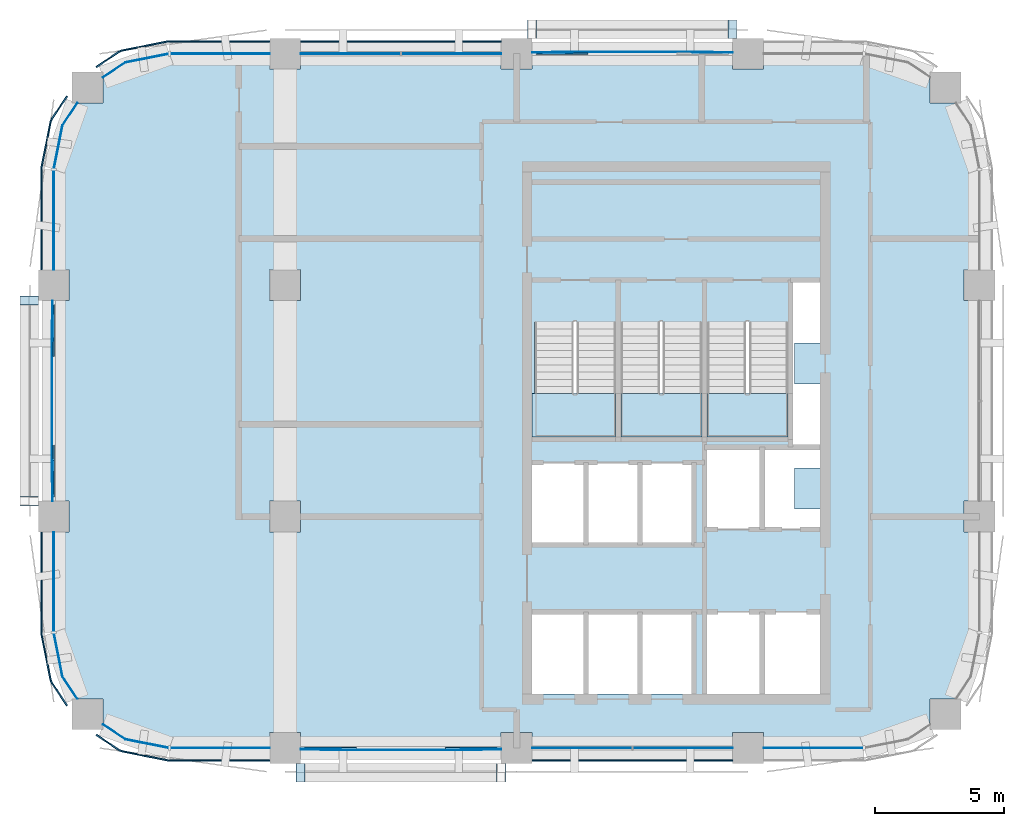
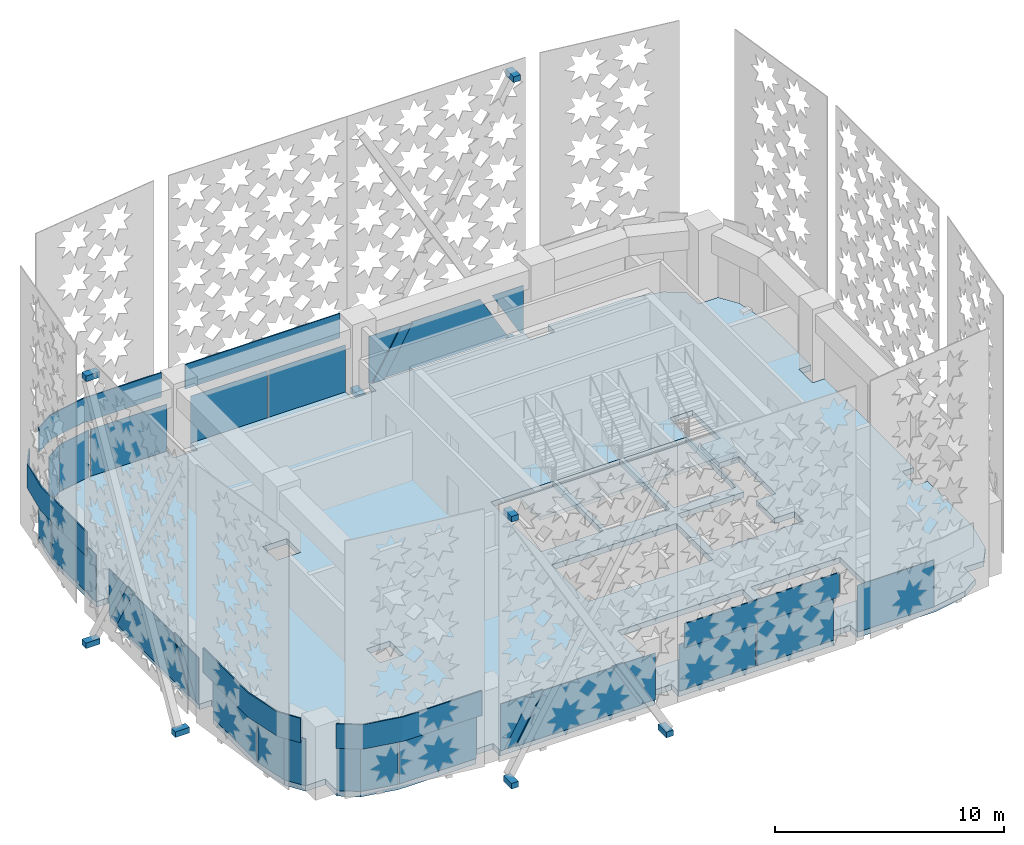
# One storey, part 6 of 17: 33 plates, 9 members, 4 slabs, 13 elements without a shape of their own.
"""IFC4 building model written with IfcOpenShell, lengths in metres."""

from ifc_helpers import new_model, si_unit, direction, frame, origin, origin_2d, place, context, subcontext, project, spatial, polyline, rectangle, outline, extrude, material, layer, layer_set, type_object, element, aggregate, save


model = new_model("IFC4")

# Units and contexts
model_context = context("Model", 3, precision=1e-05, world=origin(), true_north=direction((0.0, 1.0)))
body_context = subcontext(model_context, "Body", "Model", "MODEL_VIEW")
ifc_project = project(units=[si_unit("LENGTHUNIT", "METRE"), si_unit("AREAUNIT", "SQUARE_METRE"), si_unit("VOLUMEUNIT", "CUBIC_METRE"), si_unit("PLANEANGLEUNIT", "RADIAN"), si_unit("MASSUNIT", "GRAM", prefix="KILO")], contexts=[model_context])

# Site, building, storey
site_placement = place(None, origin())
site = spatial("IfcSite", under=ifc_project, at=site_placement, CompositionType="ELEMENT")
building_placement = place(site_placement, origin())
building = spatial("IfcBuilding", under=site, at=building_placement, Name="Tessera Arch", CompositionType="ELEMENT")
storey_placement = place(building_placement, frame((0.0, 0.0, 281.300048828125)))
storey = spatial("IfcBuildingStorey", under=building, at=storey_placement, Name="L68", CompositionType="ELEMENT", Elevation=281.300048828125)

# Members
ifc_material_1 = material(Name="Steel A572 Gr50", Category="steel")
ifc_layer_1 = layer(ifc_material_1, 0.050048828125)
ifc_layer_set_1 = layer_set([ifc_layer_1], Name="Node block Steel A572 Gr50")
member_type = type_object("IfcMemberType", Name="Node block Steel A572 Gr50", PredefinedType="PLATE", material=ifc_layer_set_1)
for number, where, z_axis, x_axis, name in (
    (1, (36.60009765625, 54.95556640625, -1.2099609375), (0.0, 0.0, 1.0), (-1.0, 0.0, 0.0), "Node block seat N54.18-1 1 L68"),
    (2, (44.39990234375, 54.95556640625, -1.2099609375), (0.0, 0.0, 1.0), (-1.0, 0.0, 0.0), "Node block seat N54.18-1 2 L68"),
    (3, (44.39990234375, 54.95556640625, 13.009765625), (0.0, 0.0, 1.0), (-1.0, 0.0, 0.0), "Node block head N54.18-1 B L68"),
    (4, (17.04443359375, 36.60009765625, -1.2099609375), (0.0, 0.0, 1.0), (0.0, -1.0, 0.0), "Node block seat W18.27-1 1 L68"),
    (5, (17.04443359375, 44.39990234375, -1.2099609375), (0.0, 0.0, 1.0), (0.0, -1.0, 0.0), "Node block seat W18.27-1 2 L68"),
    (6, (17.04443359375, 44.39990234375, 13.009765625), (0.0, 0.0, 1.0), (0.0, -1.0, 0.0), "Node block head W18.27-1 B L68"),
    (7, (35.39990234375, 26.04443359375, -1.2099609375), (0.0, 0.0, 1.0), (1.0, 0.0, 0.0), "Node block seat S27.18-1 1 L68"),
    (8, (27.60009765625, 26.04443359375, -1.2099609375), (0.0, 0.0, 1.0), (1.0, 0.0, 0.0), "Node block seat S27.18-1 2 L68"),
    (9, (27.60009765625, 26.04443359375, 13.009765625), (0.0, 0.0, 1.0), (1.0, 0.0, 0.0), "Node block head S27.18-1 B L68"),
):
    element("IfcMember", number, at=place(storey_placement, frame(where, z_axis=z_axis, x_axis=x_axis)), inside=storey, type_object=member_type, Name=name, PredefinedType="PLATE", context=body_context, shape_type="SweptSolid", body=[
        extrude(rectangle(XDim=0.355712890625, YDim=0.711181640625, at=origin_2d()), origin(), (0.0, 0.0, 1.0), 0.300048828125),
    ])

# Curtain wall, plates
ifc_material_2 = material(Name="CW1 curtain wall")
curtain_wall_type_1 = type_object("IfcCurtainWallType", Name="CW1 curtain wall", PredefinedType="NOTDEFINED", material=ifc_material_2)
curtain_wall_1_placement = place(storey_placement, origin())
curtain_wall_1 = element("IfcCurtainWall", 10, at=curtain_wall_1_placement, inside=storey, type_object=curtain_wall_type_1, Name="CW1 curtain wall N54.18/2 L68", PredefinedType="NOTDEFINED")
ifc_material_3 = material(Name="Clear low-e glass", Category="glass")
ifc_material_4 = material(Name="Clear low-e glass", Category="glass")
ifc_layer_2 = layer(ifc_material_4, 0.028076171875)
ifc_layer_set_2 = layer_set([ifc_layer_2], Name="CW1 glass panel")
plate_type_1 = type_object("IfcPlateType", Name="CW1 glass panel", PredefinedType="CURTAIN_PANEL", material=ifc_layer_set_2)
plate_1_placement = place(storey_placement, frame((33.465087890625, 54.0, 0.0), z_axis=(0.0, 0.0, 1.0), x_axis=(-1.0, 0.0, 0.0)))
plate_1 = element("IfcPlate", 11, at=plate_1_placement, type_object=plate_type_1, material=ifc_material_3, Name="CW1 glass panel N54.18/2 1.1.1", PredefinedType="CURTAIN_PANEL", context=body_context, shape_type="SweptSolid", body=[
    extrude(rectangle(XDim=3.8701171875, YDim=0.028076171875, at=origin_2d()), origin(), (0.0, 0.0, 1.0), 2.5),
])
plate_2_placement = place(storey_placement, frame((29.534912109375, 54.0, 0.0), z_axis=(0.0, 0.0, 1.0), x_axis=(-1.0, 0.0, 0.0)))
plate_2 = element("IfcPlate", 12, at=plate_2_placement, type_object=plate_type_1, material=ifc_material_3, Name="CW1 glass panel N54.18/2 1.2.1", PredefinedType="CURTAIN_PANEL", context=body_context, shape_type="SweptSolid", body=[
    extrude(rectangle(XDim=3.8701171875, YDim=0.028076171875, at=origin_2d()), origin(), (0.0, 0.0, 1.0), 2.5),
])

curtain_wall_2_placement = place(storey_placement, origin())
curtain_wall_2 = element("IfcCurtainWall", 13, at=curtain_wall_2_placement, inside=storey, type_object=curtain_wall_type_1, Name="CW1 curtain wall S27.18/2 L68", PredefinedType="NOTDEFINED")
plate_3_placement = place(storey_placement, frame((38.534912109375, 27.0, 0.0), z_axis=(0.0, 0.0, 1.0), x_axis=(1.0, 0.0, 0.0)))
plate_3 = element("IfcPlate", 14, at=plate_3_placement, type_object=plate_type_1, material=ifc_material_3, Name="CW1 glass panel S27.18/2 1.1.1", PredefinedType="CURTAIN_PANEL", context=body_context, shape_type="SweptSolid", body=[
    extrude(rectangle(XDim=3.8701171875, YDim=0.028076171875, at=origin_2d()), origin(), (0.0, 0.0, 1.0), 2.5),
])
plate_4_placement = place(storey_placement, frame((42.465087890625, 27.0, 0.0), z_axis=(0.0, 0.0, 1.0), x_axis=(1.0, 0.0, 0.0)))
plate_4 = element("IfcPlate", 15, at=plate_4_placement, type_object=plate_type_1, material=ifc_material_3, Name="CW1 glass panel S27.18/2 1.2.1", PredefinedType="CURTAIN_PANEL", context=body_context, shape_type="SweptSolid", body=[
    extrude(rectangle(XDim=3.8701171875, YDim=0.028076171875, at=origin_2d()), origin(), (0.0, 0.0, 1.0), 2.5),
])

# Plate
ifc_material_5 = material(Name="Pale anodised aluminium panel", Category="aluminium")
ifc_layer_3 = layer(ifc_material_5, 0.06005859375)
ifc_layer_set_3 = layer_set([ifc_layer_3], Name="CW1 spandrel panel")
plate_type_2 = type_object("IfcPlateType", Name="CW1 spandrel panel", PredefinedType="CURTAIN_PANEL", material=ifc_layer_set_3)
plate_5_placement = place(storey_placement, frame((31.5, 54.47998046875, 2.60009765625), z_axis=(0.0, 0.0, 1.0), x_axis=(-1.0, 0.0, 0.0)))
plate_5 = element("IfcPlate", 16, at=plate_5_placement, type_object=plate_type_2, Name="CW1 spandrel panel N54.18/2", PredefinedType="CURTAIN_PANEL", context=body_context, shape_type="SweptSolid", body=[
    extrude(rectangle(XDim=7.800048828125, YDim=0.06005859375, at=origin_2d()), origin(), (0.0, 0.0, 1.0), 1.300048828125),
])

aggregate(curtain_wall_1, [plate_1, plate_2, plate_5])

plate_6_placement = place(storey_placement, frame((40.5, 26.52001953125, 2.60009765625), z_axis=(0.0, 0.0, 1.0), x_axis=(1.0, 0.0, 0.0)))
plate_6 = element("IfcPlate", 17, at=plate_6_placement, type_object=plate_type_2, Name="CW1 spandrel panel S27.18/2", PredefinedType="CURTAIN_PANEL", context=body_context, shape_type="SweptSolid", body=[
    extrude(rectangle(XDim=7.800048828125, YDim=0.06005859375, at=origin_2d()), origin(), (0.0, 0.0, 1.0), 1.300048828125),
])

aggregate(curtain_wall_2, [plate_3, plate_4, plate_6])

# Curtain wall, plates
ifc_material_6 = material(Name="CW2 curtain wall")
curtain_wall_type_2 = type_object("IfcCurtainWallType", Name="CW2 curtain wall", PredefinedType="NOTDEFINED", material=ifc_material_6)
curtain_wall_3_placement = place(storey_placement, origin())
curtain_wall_3 = element("IfcCurtainWall", 18, at=curtain_wall_3_placement, inside=storey, type_object=curtain_wall_type_2, Name="CW2 curtain wall N54.18/3 L68", PredefinedType="NOTDEFINED")
ifc_material_7 = material(Name="Clear low-e glass", Category="glass")
ifc_layer_4 = layer(ifc_material_7, 0.028076171875)
ifc_layer_set_4 = layer_set([ifc_layer_4], Name="CW2 glass panel")
plate_type_3 = type_object("IfcPlateType", Name="CW2 glass panel", PredefinedType="CURTAIN_PANEL", material=ifc_layer_set_4)
plate_7_placement = place(storey_placement, frame((24.469970703125, 54.0, 0.0), z_axis=(0.0, 0.0, 1.0), x_axis=(-1.0, 0.0, 0.0)))
plate_7 = element("IfcPlate", 19, at=plate_7_placement, type_object=plate_type_3, material=ifc_material_3, Name="CW2 glass panel N54.18/3 1.1", PredefinedType="CURTAIN_PANEL", context=body_context, shape_type="SweptSolid", body=[
    extrude(rectangle(XDim=3.860107421875, YDim=0.028076171875, at=origin_2d()), origin(), (0.0, 0.0, 1.0), 2.5),
])
plate_8_placement = place(storey_placement, origin())
plate_8 = element("IfcPlate", 20, at=plate_8_placement, type_object=plate_type_3, material=ifc_material_3, Name="CW2 curved glass panel N54.18/3 2.1", PredefinedType="CURTAIN_PANEL", context=body_context, shape_type="SweptSolid", body=[
    extrude(outline(polyline([(20.783447265625, 53.644287109375), (22.46337890625, 53.978515625), (22.4580078125, 54.005859375), (20.7724609375, 53.670654296875), (19.91015625, 53.094482421875), (19.92578125, 53.0712890625), (20.783447265625, 53.644287109375)])), origin(), (0.0, 0.0, 1.0), 2.5),
])

curtain_wall_4_placement = place(storey_placement, origin())
curtain_wall_4 = element("IfcCurtainWall", 21, at=curtain_wall_4_placement, inside=storey, type_object=curtain_wall_type_2, Name="CW2 curtain wall W18.27/0 L68", PredefinedType="NOTDEFINED")
plate_9_placement = place(storey_placement, frame((18.0, 47.530029296875, 0.0), z_axis=(0.0, 0.0, 1.0), x_axis=(0.0, -1.0, 0.0)))
plate_9 = element("IfcPlate", 22, at=plate_9_placement, type_object=plate_type_3, material=ifc_material_3, Name="CW2 glass panel W18.27/0 1.1", PredefinedType="CURTAIN_PANEL", context=body_context, shape_type="SweptSolid", body=[
    extrude(rectangle(XDim=3.860107421875, YDim=0.028076171875, at=origin_2d()), origin(), (0.0, 0.0, 1.0), 2.5),
])
plate_10_placement = place(storey_placement, origin())
plate_10 = element("IfcPlate", 23, at=plate_10_placement, type_object=plate_type_3, material=ifc_material_3, Name="CW2 curved glass panel W18.27/0 2.1", PredefinedType="CURTAIN_PANEL", context=body_context, shape_type="SweptSolid", body=[
    extrude(outline(polyline([(18.355712890625, 51.216552734375), (18.9287109375, 52.07421875), (18.905517578125, 52.08984375), (18.329345703125, 51.2275390625), (17.994140625, 49.5419921875), (18.021484375, 49.53662109375), (18.355712890625, 51.216552734375)])), origin(), (0.0, 0.0, 1.0), 2.5),
])

curtain_wall_5_placement = place(storey_placement, origin())
curtain_wall_5 = element("IfcCurtainWall", 24, at=curtain_wall_5_placement, inside=storey, type_object=curtain_wall_type_2, Name="CW2 curtain wall W18.27/2 L68", PredefinedType="NOTDEFINED")
plate_11_placement = place(storey_placement, frame((18.0, 33.469970703125, 0.0), z_axis=(0.0, 0.0, 1.0), x_axis=(0.0, -1.0, 0.0)))
plate_11 = element("IfcPlate", 25, at=plate_11_placement, type_object=plate_type_3, material=ifc_material_3, Name="CW2 glass panel W18.27/2 1.1", PredefinedType="CURTAIN_PANEL", context=body_context, shape_type="SweptSolid", body=[
    extrude(rectangle(XDim=3.860107421875, YDim=0.028076171875, at=origin_2d()), origin(), (0.0, 0.0, 1.0), 2.5),
])
plate_12_placement = place(storey_placement, origin())
plate_12 = element("IfcPlate", 26, at=plate_12_placement, type_object=plate_type_3, material=ifc_material_3, Name="CW2 curved glass panel W18.27/2 2.1", PredefinedType="CURTAIN_PANEL", context=body_context, shape_type="SweptSolid", body=[
    extrude(outline(polyline([(18.355712890625, 29.783447265625), (18.021484375, 31.46337890625), (17.994140625, 31.4580078125), (18.329345703125, 29.7724609375), (18.905517578125, 28.91015625), (18.9287109375, 28.92578125), (18.355712890625, 29.783447265625)])), origin(), (0.0, 0.0, 1.0), 2.5),
])

curtain_wall_6_placement = place(storey_placement, origin())
curtain_wall_6 = element("IfcCurtainWall", 27, at=curtain_wall_6_placement, inside=storey, type_object=curtain_wall_type_2, Name="CW2 curtain wall S27.18/0 L68", PredefinedType="NOTDEFINED")
plate_13_placement = place(storey_placement, frame((24.469970703125, 27.0, 0.0), z_axis=(0.0, 0.0, 1.0), x_axis=(1.0, 0.0, 0.0)))
plate_13 = element("IfcPlate", 28, at=plate_13_placement, type_object=plate_type_3, material=ifc_material_3, Name="CW2 glass panel S27.18/0 1.1", PredefinedType="CURTAIN_PANEL", context=body_context, shape_type="SweptSolid", body=[
    extrude(rectangle(XDim=3.860107421875, YDim=0.028076171875, at=origin_2d()), origin(), (0.0, 0.0, 1.0), 2.5),
])
plate_14_placement = place(storey_placement, origin())
plate_14 = element("IfcPlate", 29, at=plate_14_placement, type_object=plate_type_3, material=ifc_material_3, Name="CW2 curved glass panel S27.18/0 2.1", PredefinedType="CURTAIN_PANEL", context=body_context, shape_type="SweptSolid", body=[
    extrude(outline(polyline([(20.783447265625, 27.355712890625), (19.92578125, 27.9287109375), (19.91015625, 27.905517578125), (20.7724609375, 27.329345703125), (22.4580078125, 26.994140625), (22.46337890625, 27.021484375), (20.783447265625, 27.355712890625)])), origin(), (0.0, 0.0, 1.0), 2.5),
])

# Curtain wall, plate
curtain_wall_7_placement = place(storey_placement, origin())
curtain_wall_7 = element("IfcCurtainWall", 30, at=curtain_wall_7_placement, inside=storey, type_object=curtain_wall_type_2, Name="CW2 curtain wall S27.18/3 L68", PredefinedType="NOTDEFINED")
plate_15_placement = place(storey_placement, frame((47.530029296875, 27.0, 0.0), z_axis=(0.0, 0.0, 1.0), x_axis=(1.0, 0.0, 0.0)))
plate_15 = element("IfcPlate", 31, at=plate_15_placement, type_object=plate_type_3, material=ifc_material_3, Name="CW2 glass panel S27.18/3 1.1", PredefinedType="CURTAIN_PANEL", context=body_context, shape_type="SweptSolid", body=[
    extrude(rectangle(XDim=3.860107421875, YDim=0.028076171875, at=origin_2d()), origin(), (0.0, 0.0, 1.0), 2.5),
])
aggregate(curtain_wall_7, [plate_15])

# Plate
ifc_material_8 = material(Name="Pale anodised aluminium panel", Category="aluminium")
ifc_layer_5 = layer(ifc_material_8, 0.06005859375)
ifc_layer_set_5 = layer_set([ifc_layer_5], Name="CW2 spandrel panel")
plate_type_4 = type_object("IfcPlateType", Name="CW2 spandrel panel", PredefinedType="CURTAIN_PANEL", material=ifc_layer_set_5)
plate_16_placement = place(storey_placement, frame((0.0, 0.0, 2.599853515625)))
plate_16 = element("IfcPlate", 32, at=plate_16_placement, type_object=plate_type_4, Name="CW2 spandrel panel N54.18/3", PredefinedType="CURTAIN_PANEL", context=body_context, shape_type="SweptSolid", body=[
    extrude(outline(polyline([(22.500732421875, 54.449951171875), (26.39990234375, 54.449951171875), (26.39990234375, 54.510009765625), (22.499267578125, 54.510009765625), (22.449951171875, 54.507568359375), (22.401123046875, 54.500244140625), (20.677734375, 54.157470703125), (20.6298828125, 54.1455078125), (20.582763671875, 54.128662109375), (20.537353515625, 54.107421875), (20.4951171875, 54.08203125), (19.634765625, 53.5068359375), (19.66796875, 53.45703125), (20.52734375, 54.03125), (20.565673828125, 54.054443359375), (20.605712890625, 54.0732421875), (20.647216796875, 54.088134765625), (20.69091796875, 54.09912109375), (22.411376953125, 54.441162109375), (22.455810546875, 54.44775390625), (22.500732421875, 54.449951171875)])), origin(), (0.0, 0.0, 1.0), 1.300048828125),
])

aggregate(curtain_wall_3, [plate_7, plate_8, plate_16])

plate_17_placement = place(storey_placement, frame((0.0, 0.0, 2.599853515625)))
plate_17 = element("IfcPlate", 33, at=plate_17_placement, type_object=plate_type_4, Name="CW2 spandrel panel W18.27/0", PredefinedType="CURTAIN_PANEL", context=body_context, shape_type="SweptSolid", body=[
    extrude(outline(polyline([(17.96875, 51.47265625), (18.54296875, 52.33203125), (18.4931640625, 52.365234375), (17.91796875, 51.5048828125), (17.892578125, 51.462646484375), (17.871337890625, 51.417236328125), (17.8544921875, 51.3701171875), (17.842529296875, 51.322265625), (17.499755859375, 49.598876953125), (17.492431640625, 49.550048828125), (17.489990234375, 49.500732421875), (17.489990234375, 45.60009765625), (17.550048828125, 45.60009765625), (17.550048828125, 49.499267578125), (17.55224609375, 49.544189453125), (17.558837890625, 49.588623046875), (17.90087890625, 51.30908203125), (17.911865234375, 51.352783203125), (17.9267578125, 51.394287109375), (17.945556640625, 51.434326171875), (17.96875, 51.47265625)])), origin(), (0.0, 0.0, 1.0), 1.300048828125),
])

aggregate(curtain_wall_4, [plate_9, plate_10, plate_17])

plate_18_placement = place(storey_placement, frame((0.0, 0.0, 2.599853515625)))
plate_18 = element("IfcPlate", 34, at=plate_18_placement, type_object=plate_type_4, Name="CW2 spandrel panel W18.27/2", PredefinedType="CURTAIN_PANEL", context=body_context, shape_type="SweptSolid", body=[
    extrude(outline(polyline([(17.550048828125, 31.500732421875), (17.550048828125, 35.39990234375), (17.489990234375, 35.39990234375), (17.489990234375, 31.499267578125), (17.492431640625, 31.449951171875), (17.499755859375, 31.401123046875), (17.842529296875, 29.677734375), (17.8544921875, 29.6298828125), (17.871337890625, 29.582763671875), (17.892578125, 29.537353515625), (17.91796875, 29.4951171875), (18.4931640625, 28.634765625), (18.54296875, 28.66796875), (17.96875, 29.52734375), (17.945556640625, 29.565673828125), (17.9267578125, 29.605712890625), (17.911865234375, 29.647216796875), (17.90087890625, 29.69091796875), (17.558837890625, 31.411376953125), (17.55224609375, 31.455810546875), (17.550048828125, 31.500732421875)])), origin(), (0.0, 0.0, 1.0), 1.300048828125),
])

aggregate(curtain_wall_5, [plate_11, plate_12, plate_18])

plate_19_placement = place(storey_placement, frame((0.0, 0.0, 2.599853515625)))
plate_19 = element("IfcPlate", 35, at=plate_19_placement, type_object=plate_type_4, Name="CW2 spandrel panel S27.18/0", PredefinedType="CURTAIN_PANEL", context=body_context, shape_type="SweptSolid", body=[
    extrude(outline(polyline([(20.52734375, 26.96875), (19.66796875, 27.54296875), (19.634765625, 27.4931640625), (20.4951171875, 26.91796875), (20.537353515625, 26.892578125), (20.582763671875, 26.871337890625), (20.6298828125, 26.8544921875), (20.677734375, 26.842529296875), (22.401123046875, 26.499755859375), (22.449951171875, 26.492431640625), (22.499267578125, 26.489990234375), (26.39990234375, 26.489990234375), (26.39990234375, 26.550048828125), (22.500732421875, 26.550048828125), (22.455810546875, 26.55224609375), (22.411376953125, 26.558837890625), (20.69091796875, 26.90087890625), (20.647216796875, 26.911865234375), (20.605712890625, 26.9267578125), (20.565673828125, 26.945556640625), (20.52734375, 26.96875)])), origin(), (0.0, 0.0, 1.0), 1.300048828125),
])

aggregate(curtain_wall_6, [plate_13, plate_14, plate_19])

# Curtain wall, plate
ifc_material_9 = material(Name="CW3 curtain wall")
curtain_wall_type_3 = type_object("IfcCurtainWallType", Name="CW3 curtain wall", PredefinedType="NOTDEFINED", material=ifc_material_9)
curtain_wall_8_placement = place(storey_placement, origin())
curtain_wall_8 = element("IfcCurtainWall", 36, at=curtain_wall_8_placement, inside=storey, type_object=curtain_wall_type_3, Name="CW3 curtain wall N54.18/1 L68", PredefinedType="NOTDEFINED")
ifc_material_10 = material(Name="Pale anodised aluminium panel", Category="aluminium")
ifc_layer_6 = layer(ifc_material_10, 0.06005859375)
ifc_layer_set_6 = layer_set([ifc_layer_6], Name="CW3 diagonal panel")
plate_type_5 = type_object("IfcPlateType", Name="CW3 diagonal panel", PredefinedType="CURTAIN_PANEL", material=ifc_layer_set_6)
plate_20_placement = place(storey_placement, frame((38.188232421875, 54.030029296875, 2.5), z_axis=(0.0, 1.0, 0.0), x_axis=(1.0, 0.0, 0.0)))
plate_20 = element("IfcPlate", 37, at=plate_20_placement, type_object=plate_type_5, Name="CW3 diagonal panel N54.18/1 1", PredefinedType="CURTAIN_PANEL", context=body_context, shape_type="SweptSolid", body=[
    extrude(outline(polyline([(0.0, 0.0), (0.5810546875, 0.0), (-0.84228515625, 2.5), (-1.42333984375, 2.5), (0.0, 0.0)])), origin(), (0.0, 0.0, -1.0), 0.06005859375),
])

# Curtain wall, plates
curtain_wall_9_placement = place(storey_placement, origin())
curtain_wall_9 = element("IfcCurtainWall", 38, at=curtain_wall_9_placement, inside=storey, type_object=curtain_wall_type_3, Name="CW3 curtain wall W18.27/1 L68", PredefinedType="NOTDEFINED")
plate_21_placement = place(storey_placement, frame((17.969970703125, 38.188232421875, 2.5), z_axis=(-1.0, 0.0, 0.0), x_axis=(0.0, 1.0, 0.0)))
plate_21 = element("IfcPlate", 39, at=plate_21_placement, type_object=plate_type_5, Name="CW3 diagonal panel W18.27/1 1", PredefinedType="CURTAIN_PANEL", context=body_context, shape_type="SweptSolid", body=[
    extrude(outline(polyline([(0.0, 0.0), (0.5810546875, 0.0), (-0.84228515625, 2.5), (-1.42333984375, 2.5), (0.0, 0.0)])), origin(), (0.0, 0.0, -1.0), 0.06005859375),
])
plate_22_placement = place(storey_placement, frame((17.969970703125, 42.230712890625, 2.5), z_axis=(-1.0, 0.0, 0.0), x_axis=(0.0, 1.0, 0.0)))
plate_22 = element("IfcPlate", 40, at=plate_22_placement, type_object=plate_type_5, Name="CW3 diagonal panel W18.27/1 2", PredefinedType="CURTAIN_PANEL", context=body_context, shape_type="SweptSolid", body=[
    extrude(outline(polyline([(0.0, 0.0), (0.5810546875, 0.0), (2.00439453125, 2.5), (1.42333984375, 2.5), (0.0, 0.0)])), origin(), (0.0, 0.0, -1.0), 0.06005859375),
])

curtain_wall_10_placement = place(storey_placement, origin())
curtain_wall_10 = element("IfcCurtainWall", 41, at=curtain_wall_10_placement, inside=storey, type_object=curtain_wall_type_3, Name="CW3 curtain wall S27.18/1 L68", PredefinedType="NOTDEFINED")
plate_23_placement = place(storey_placement, frame((33.811767578125, 26.969970703125, 2.5), z_axis=(0.0, -1.0, 0.0), x_axis=(-1.0, 0.0, 0.0)))
plate_23 = element("IfcPlate", 42, at=plate_23_placement, type_object=plate_type_5, Name="CW3 diagonal panel S27.18/1 1", PredefinedType="CURTAIN_PANEL", context=body_context, shape_type="SweptSolid", body=[
    extrude(outline(polyline([(0.0, 0.0), (0.5810546875, 0.0), (-0.84228515625, 2.5), (-1.42333984375, 2.5), (0.0, 0.0)])), origin(), (0.0, 0.0, -1.0), 0.06005859375),
])
plate_24_placement = place(storey_placement, frame((29.769287109375, 26.969970703125, 2.5), z_axis=(0.0, -1.0, 0.0), x_axis=(-1.0, 0.0, 0.0)))
plate_24 = element("IfcPlate", 43, at=plate_24_placement, type_object=plate_type_5, Name="CW3 diagonal panel S27.18/1 2", PredefinedType="CURTAIN_PANEL", context=body_context, shape_type="SweptSolid", body=[
    extrude(outline(polyline([(0.0, 0.0), (0.5810546875, 0.0), (2.00439453125, 2.5), (1.42333984375, 2.5), (0.0, 0.0)])), origin(), (0.0, 0.0, -1.0), 0.06005859375),
])

# Plate
ifc_material_11 = material(Name="Clear low-e glass", Category="glass")
ifc_layer_7 = layer(ifc_material_11, 0.028076171875)
ifc_layer_set_7 = layer_set([ifc_layer_7], Name="CW3 glass panel")
plate_type_6 = type_object("IfcPlateType", Name="CW3 glass panel", PredefinedType="CURTAIN_PANEL", material=ifc_layer_set_7)
plate_25_placement = place(storey_placement, frame((44.39990234375, 54.05810546875, 0.0), z_axis=(0.0, 1.0, 0.0), x_axis=(-1.0, 0.0, 0.0)))
plate_25 = element("IfcPlate", 44, at=plate_25_placement, type_object=plate_type_6, material=ifc_material_3, Name="CW3 triangulated glass panel N54.18/1 1", PredefinedType="CURTAIN_PANEL", context=body_context, shape_type="SweptSolid", body=[
    extrude(outline(polyline([(0.0, 0.0), (0.164794921875, 0.0), (1.588134765625, 2.5), (0.0, 2.5), (0.0, 0.0)])), origin(), (0.0, 0.0, -1.0), 0.028076171875),
])

plate_26_placement = place(storey_placement, frame((38.769287109375, 54.0859375, 2.5), z_axis=(0.0, 1.0, 0.0), x_axis=(1.0, 0.0, 0.0)))
plate_26 = element("IfcPlate", 45, at=plate_26_placement, type_object=plate_type_6, material=ifc_material_3, Name="CW3 triangulated glass panel N54.18/1 2", PredefinedType="CURTAIN_PANEL", context=body_context, shape_type="SweptSolid", body=[
    extrude(outline(polyline([(0.0, 0.0), (3.46142578125, 0.0), (4.884765625, 2.5), (-1.42333984375, 2.5), (0.0, 0.0)])), origin(), (0.0, 0.0, -1.0), 0.028076171875),
])

plate_27_placement = place(storey_placement, frame((36.60009765625, 54.05810546875, 2.5), z_axis=(0.0, 1.0, 0.0), x_axis=(1.0, 0.0, 0.0)))
plate_27 = element("IfcPlate", 46, at=plate_27_placement, type_object=plate_type_6, material=ifc_material_3, Name="CW3 triangulated glass panel N54.18/1 3", PredefinedType="CURTAIN_PANEL", context=body_context, shape_type="SweptSolid", body=[
    extrude(outline(polyline([(0.0, 0.0), (1.588134765625, 0.0), (0.164794921875, 2.5), (0.0, 2.5), (0.0, 0.0)])), origin(), (0.0, 0.0, -1.0), 0.028076171875),
])

aggregate(curtain_wall_8, [plate_25, plate_26, plate_27, plate_20])

plate_28_placement = place(storey_placement, frame((17.94189453125, 44.39990234375, 0.0), z_axis=(-1.0, 0.0, 0.0), x_axis=(0.0, -1.0, 0.0)))
plate_28 = element("IfcPlate", 47, at=plate_28_placement, type_object=plate_type_6, material=ifc_material_3, Name="CW3 triangulated glass panel W18.27/1 1", PredefinedType="CURTAIN_PANEL", context=body_context, shape_type="SweptSolid", body=[
    extrude(outline(polyline([(0.0, 0.0), (0.164794921875, 0.0), (1.588134765625, 2.5), (0.0, 2.5), (0.0, 0.0)])), origin(), (0.0, 0.0, -1.0), 0.028076171875),
])

plate_29_placement = place(storey_placement, frame((17.9140625, 38.769287109375, 2.5), z_axis=(-1.0, 0.0, 0.0), x_axis=(0.0, 1.0, 0.0)))
plate_29 = element("IfcPlate", 48, at=plate_29_placement, type_object=plate_type_6, material=ifc_material_3, Name="CW3 triangulated glass panel W18.27/1 2", PredefinedType="CURTAIN_PANEL", context=body_context, shape_type="SweptSolid", body=[
    extrude(outline(polyline([(0.0, 0.0), (3.46142578125, 0.0), (4.884765625, 2.5), (-1.42333984375, 2.5), (0.0, 0.0)])), origin(), (0.0, 0.0, -1.0), 0.028076171875),
])

plate_30_placement = place(storey_placement, frame((17.94189453125, 36.60009765625, 2.5), z_axis=(-1.0, 0.0, 0.0), x_axis=(0.0, 1.0, 0.0)))
plate_30 = element("IfcPlate", 49, at=plate_30_placement, type_object=plate_type_6, material=ifc_material_3, Name="CW3 triangulated glass panel W18.27/1 3", PredefinedType="CURTAIN_PANEL", context=body_context, shape_type="SweptSolid", body=[
    extrude(outline(polyline([(0.0, 0.0), (1.588134765625, 0.0), (0.164794921875, 2.5), (0.0, 2.5), (0.0, 0.0)])), origin(), (0.0, 0.0, -1.0), 0.028076171875),
])

aggregate(curtain_wall_9, [plate_28, plate_29, plate_30, plate_21, plate_22])

plate_31_placement = place(storey_placement, frame((27.60009765625, 26.94189453125, 0.0), z_axis=(0.0, -1.0, 0.0), x_axis=(1.0, 0.0, 0.0)))
plate_31 = element("IfcPlate", 50, at=plate_31_placement, type_object=plate_type_6, material=ifc_material_3, Name="CW3 triangulated glass panel S27.18/1 1", PredefinedType="CURTAIN_PANEL", context=body_context, shape_type="SweptSolid", body=[
    extrude(outline(polyline([(0.0, 0.0), (0.164794921875, 0.0), (1.588134765625, 2.5), (0.0, 2.5), (0.0, 0.0)])), origin(), (0.0, 0.0, -1.0), 0.028076171875),
])

plate_32_placement = place(storey_placement, frame((33.230712890625, 26.9140625, 2.5), z_axis=(0.0, -1.0, 0.0), x_axis=(-1.0, 0.0, 0.0)))
plate_32 = element("IfcPlate", 51, at=plate_32_placement, type_object=plate_type_6, material=ifc_material_3, Name="CW3 triangulated glass panel S27.18/1 2", PredefinedType="CURTAIN_PANEL", context=body_context, shape_type="SweptSolid", body=[
    extrude(outline(polyline([(0.0, 0.0), (3.46142578125, 0.0), (4.884765625, 2.5), (-1.42333984375, 2.5), (0.0, 0.0)])), origin(), (0.0, 0.0, -1.0), 0.028076171875),
])

plate_33_placement = place(storey_placement, frame((35.39990234375, 26.94189453125, 2.5), z_axis=(0.0, -1.0, 0.0), x_axis=(-1.0, 0.0, 0.0)))
plate_33 = element("IfcPlate", 52, at=plate_33_placement, type_object=plate_type_6, material=ifc_material_3, Name="CW3 triangulated glass panel S27.18/1 3", PredefinedType="CURTAIN_PANEL", context=body_context, shape_type="SweptSolid", body=[
    extrude(outline(polyline([(0.0, 0.0), (1.588134765625, 0.0), (0.164794921875, 2.5), (0.0, 2.5), (0.0, 0.0)])), origin(), (0.0, 0.0, -1.0), 0.028076171875),
])

aggregate(curtain_wall_10, [plate_31, plate_32, plate_33, plate_23, plate_24])

# Slab
ifc_material_12 = material(Name="Concrete C40/50", Category="concrete")
ifc_layer_8 = layer(ifc_material_12, 0.300048828125)
ifc_layer_set_8 = layer_set([ifc_layer_8], Name="Floor slab 300 Concrete C40/50")
slab_type_1 = type_object("IfcSlabType", Name="Floor slab 300 Concrete C40/50", PredefinedType="FLOOR", material=ifc_layer_set_8)
slab_1_placement = place(storey_placement, frame((0.0, 0.0, -0.300048828125)))
element("IfcSlab", 53, at=slab_1_placement, inside=storey, type_object=slab_type_1, Name="Floor slab L68 1", PredefinedType="FLOOR", context=body_context, shape_type="SweptSolid", body=[
    extrude(outline(polyline([(54.0, 31.5), (53.657470703125, 29.77783203125), (53.0830078125, 28.91796875), (52.08203125, 28.91796875), (52.08203125, 27.9169921875), (51.22216796875, 27.342529296875), (49.5, 27.0), (45.60009765625, 27.0), (45.60009765625, 27.60009765625), (44.39990234375, 27.60009765625), (44.39990234375, 27.0), (36.60009765625, 27.0), (36.60009765625, 27.60009765625), (35.39990234375, 27.60009765625), (35.39990234375, 27.0), (27.60009765625, 27.0), (27.60009765625, 27.60009765625), (26.39990234375, 27.60009765625), (26.39990234375, 27.0), (22.5, 27.0), (20.77783203125, 27.342529296875), (19.91796875, 27.9169921875), (19.91796875, 28.91796875), (18.9169921875, 28.91796875), (18.342529296875, 29.77783203125), (18.0, 31.5), (18.0, 35.39990234375), (18.60009765625, 35.39990234375), (18.60009765625, 36.60009765625), (18.0, 36.60009765625), (18.0, 44.39990234375), (18.60009765625, 44.39990234375), (18.60009765625, 45.60009765625), (18.0, 45.60009765625), (18.0, 49.5), (18.342529296875, 51.22216796875), (18.9169921875, 52.08203125), (19.91796875, 52.08203125), (19.91796875, 53.0830078125), (20.77783203125, 53.657470703125), (22.5, 54.0), (26.39990234375, 54.0), (26.39990234375, 53.39990234375), (27.60009765625, 53.39990234375), (27.60009765625, 54.0), (35.39990234375, 54.0), (35.39990234375, 53.39990234375), (36.60009765625, 53.39990234375), (36.60009765625, 54.0), (44.39990234375, 54.0), (44.39990234375, 53.39990234375), (45.60009765625, 53.39990234375), (45.60009765625, 54.0), (49.5, 54.0), (51.22216796875, 53.657470703125), (52.08203125, 53.0830078125), (52.08203125, 52.08203125), (53.0830078125, 52.08203125), (53.657470703125, 51.22216796875), (54.0, 49.5), (54.0, 45.60009765625), (53.39990234375, 45.60009765625), (53.39990234375, 44.39990234375), (54.0, 44.39990234375), (54.0, 36.60009765625), (53.39990234375, 36.60009765625), (53.39990234375, 35.39990234375), (54.0, 35.39990234375), (54.0, 31.5)]), holes=[polyline([(40.800048828125, 29.10009765625), (42.89990234375, 29.10009765625), (42.89990234375, 32.300048828125), (40.800048828125, 32.300048828125), (38.699951171875, 32.300048828125), (36.60009765625, 32.300048828125), (36.60009765625, 29.10009765625), (38.699951171875, 29.10009765625), (40.800048828125, 29.10009765625)]), polyline([(27.60009765625, 35.39990234375), (27.60009765625, 36.60009765625), (26.39990234375, 36.60009765625), (26.39990234375, 35.39990234375), (27.60009765625, 35.39990234375)]), polyline([(40.800048828125, 34.89990234375), (42.89990234375, 34.89990234375), (42.89990234375, 38.10009765625), (40.800048828125, 38.10009765625), (38.699951171875, 38.10009765625), (36.60009765625, 38.10009765625), (36.60009765625, 34.89990234375), (38.699951171875, 34.89990234375), (40.800048828125, 34.89990234375)]), polyline([(38.219970703125, 43.580078125), (38.219970703125, 43.570068359375), (36.699951171875, 43.570068359375), (36.699951171875, 39.199951171875), (39.85009765625, 39.199951171875), (39.85009765625, 43.570068359375), (38.330078125, 43.570068359375), (38.330078125, 43.580078125), (38.219970703125, 43.580078125)]), polyline([(27.60009765625, 44.39990234375), (27.60009765625, 45.60009765625), (26.39990234375, 45.60009765625), (26.39990234375, 44.39990234375), (27.60009765625, 44.39990234375)]), polyline([(47.800048828125, 32.300048828125), (45.550048828125, 32.300048828125), (43.300048828125, 32.300048828125), (43.300048828125, 29.10009765625), (45.550048828125, 29.10009765625), (47.800048828125, 29.10009765625), (47.800048828125, 32.300048828125)]), polyline([(46.64990234375, 38.699951171875), (45.550048828125, 38.699951171875), (43.300048828125, 38.699951171875), (43.300048828125, 35.5), (45.550048828125, 35.5), (47.800048828125, 35.5), (47.800048828125, 36.300048828125), (46.800048828125, 36.300048828125), (46.800048828125, 37.89990234375), (47.800048828125, 37.89990234375), (47.800048828125, 38.699951171875), (47.800048828125, 41.14990234375), (46.800048828125, 41.14990234375), (46.800048828125, 42.75), (47.800048828125, 42.75), (47.800048828125, 45.199951171875), (46.64990234375, 45.199951171875), (46.64990234375, 38.699951171875)]), polyline([(41.570068359375, 43.580078125), (41.570068359375, 43.570068359375), (40.050048828125, 43.570068359375), (40.050048828125, 39.199951171875), (43.199951171875, 39.199951171875), (43.199951171875, 43.570068359375), (41.679931640625, 43.570068359375), (41.679931640625, 43.580078125), (41.570068359375, 43.580078125)]), polyline([(44.919921875, 43.580078125), (44.919921875, 43.570068359375), (43.39990234375, 43.570068359375), (43.39990234375, 39.199951171875), (46.550048828125, 39.199951171875), (46.550048828125, 43.570068359375), (45.030029296875, 43.570068359375), (45.030029296875, 43.580078125), (44.919921875, 43.580078125)])]), origin(), (0.0, 0.0, 1.0), 0.300048828125),
])

# Stair, slab
ifc_material_13 = material(Name="Concrete C40/50", Category="concrete")
stair_type = type_object("IfcStairType", Name="Dogleg stair 1520", PredefinedType="HALF_TURN_STAIR", material=ifc_material_13)
stair_1_placement = place(storey_placement, origin())
stair_1 = element("IfcStair", 54, at=stair_1_placement, inside=storey, type_object=stair_type, Name="L68 S1a", PredefinedType="HALF_TURN_STAIR")
ifc_material_14 = material(Name="Concrete C40/50", Category="concrete")
ifc_layer_9 = layer(ifc_material_14, 0.300048828125)
ifc_layer_set_9 = layer_set([ifc_layer_9], Name="Stair landing 300")
slab_type_2 = type_object("IfcSlabType", Name="Stair landing 300", PredefinedType="LANDING", material=ifc_layer_set_9)
slab_2_placement = place(storey_placement, frame((0.0, 0.0, 1.75)))
slab_2 = element("IfcSlab", 55, at=slab_2_placement, type_object=slab_type_2, Name="S1a landing 1", PredefinedType="LANDING", context=body_context, shape_type="SweptSolid", body=[
    extrude(outline(polyline([(36.60009765625, 40.780029296875), (36.60009765625, 39.10009765625), (39.85009765625, 39.10009765625), (39.85009765625, 40.780029296875), (36.60009765625, 40.780029296875)])), origin(), (0.0, 0.0, 1.0), 0.199951171875),
])
aggregate(stair_1, [slab_2])

stair_2_placement = place(storey_placement, origin())
stair_2 = element("IfcStair", 56, at=stair_2_placement, inside=storey, type_object=stair_type, Name="L68 S1b", PredefinedType="HALF_TURN_STAIR")
slab_3_placement = place(storey_placement, frame((0.0, 0.0, 1.75)))
slab_3 = element("IfcSlab", 57, at=slab_3_placement, type_object=slab_type_2, Name="S1b landing 1", PredefinedType="LANDING", context=body_context, shape_type="SweptSolid", body=[
    extrude(outline(polyline([(40.050048828125, 40.780029296875), (40.050048828125, 39.10009765625), (43.199951171875, 39.10009765625), (43.199951171875, 40.780029296875), (40.050048828125, 40.780029296875)])), origin(), (0.0, 0.0, 1.0), 0.199951171875),
])
aggregate(stair_2, [slab_3])

stair_3_placement = place(storey_placement, origin())
stair_3 = element("IfcStair", 58, at=stair_3_placement, inside=storey, type_object=stair_type, Name="L68 S1c", PredefinedType="HALF_TURN_STAIR")
slab_4_placement = place(storey_placement, frame((0.0, 0.0, 1.75)))
slab_4 = element("IfcSlab", 59, at=slab_4_placement, type_object=slab_type_2, Name="S1c landing 1", PredefinedType="LANDING", context=body_context, shape_type="SweptSolid", body=[
    extrude(outline(polyline([(43.39990234375, 40.780029296875), (43.39990234375, 39.10009765625), (46.550048828125, 39.10009765625), (46.550048828125, 40.780029296875), (43.39990234375, 40.780029296875)])), origin(), (0.0, 0.0, 1.0), 0.199951171875),
])
aggregate(stair_3, [slab_4])

save(model, "model.ifc")
